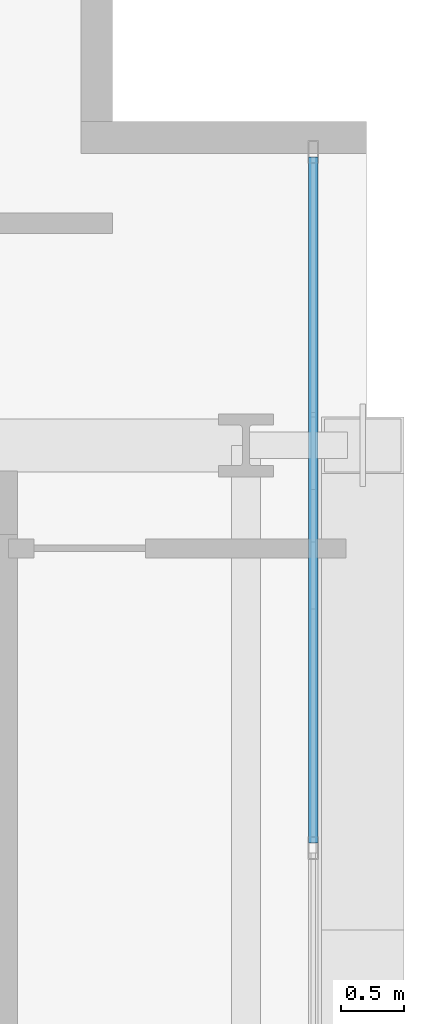
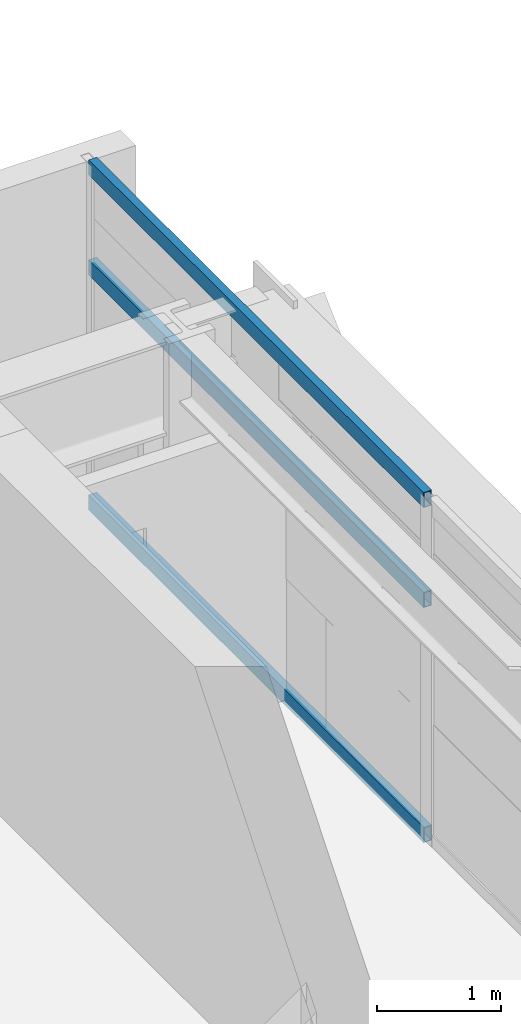
# One storey, part 19 of 38: 3 members, 1 element without a shape of its own.
"""IFC4 building model written with IfcOpenShell, lengths in metres."""

from ifc_helpers import new_model, si_unit, direction, frame, origin, origin_2d, place, context, subcontext, project, spatial, hollow_rectangle, extrude, source, transform, mapped, material, layer, layer_set, material_profile, profile_set, type_object, element, aggregate, save


model = new_model("IFC4")

# Units and contexts
model_context = context("Model", 3, precision=1e-05, world=origin(), true_north=direction((0.0, 1.0)))
body_context = subcontext(model_context, "Body", "Model", "MODEL_VIEW")
ifc_project = project(units=[si_unit("LENGTHUNIT", "METRE"), si_unit("AREAUNIT", "SQUARE_METRE"), si_unit("VOLUMEUNIT", "CUBIC_METRE"), si_unit("PLANEANGLEUNIT", "RADIAN"), si_unit("MASSUNIT", "GRAM", prefix="KILO")], contexts=[model_context])

# Site, building, storey
site_placement = place(None, origin())
site = spatial("IfcSite", under=ifc_project, at=site_placement, CompositionType="ELEMENT")
building_placement = place(site_placement, origin())
building = spatial("IfcBuilding", under=site, at=building_placement, Name="Ocotamira Hotel", CompositionType="ELEMENT")
storey_placement = place(building_placement, frame((0.0, 0.0, 170.39990234375)))
storey = spatial("IfcBuildingStorey", under=building, at=storey_placement, Name="L42", CompositionType="ELEMENT", Elevation=170.39990234375)

# Curtain wall, members
ifc_material_1 = material(Name="Anodised pale-metal aluminium and solar glass", Category="aluminium")
ifc_layer = layer(ifc_material_1, 0.199951171875)
ifc_layer_set = layer_set([ifc_layer], Name="Anodised pale-metal aluminium and solar glass")
curtain_wall_type = type_object("IfcCurtainWallType", Name="CW-SYS4-Z3", PredefinedType="NOTDEFINED", material=ifc_layer_set)
curtain_wall_placement = place(storey_placement, origin())
curtain_wall = element("IfcCurtainWall", 1, at=curtain_wall_placement, inside=storey, type_object=curtain_wall_type, Name="L42 Curtain Wall CW-4 CW-L42-E", PredefinedType="NOTDEFINED")
ifc_material_2 = material(Name="Anodised pale-metal aluminium 6063-T6", Category="aluminium")
ifc_material_profile = material_profile(ifc_material_2, hollow_rectangle(XDim=0.074951171875, YDim=0.14990234375, WallThickness=0.006103515625, at=origin_2d()), Name="HSS150X75X6")
ifc_profile_set = profile_set([ifc_material_profile], Name="Anodised pale-metal aluminium 6063-T6")
member_type = type_object("IfcMemberType", Name="CWT-150X75", PredefinedType="USERDEFINED", material=ifc_profile_set)
shared_shape = source(origin(), body_context, "Body", "SweptSolid", [
    extrude(hollow_rectangle(XDim=0.074951171875, YDim=0.14990234375, WallThickness=0.006103515625, at=origin_2d()), origin(), (0.0, 0.0, 1.0), 5.39990234375),
])
member_1_placement = place(storey_placement, frame((55.580078125, 34.320068359375, 0.03759765625), z_axis=(0.0, 1.0, 0.0), x_axis=(-1.0, 0.0, 0.0)))
member_1 = element("IfcMember", 2, at=member_1_placement, type_object=member_type, Name="CW-4 transom 5.1", ObjectType="TRANSOM", PredefinedType="USERDEFINED", context=body_context, shape_type="MappedRepresentation", body=[
    mapped(shared_shape, transform((0.0, 0.0, 0.0), scale=1.0)),
])
member_2_placement = place(storey_placement, frame((55.580078125, 34.320068359375, 2.35009765625), z_axis=(0.0, 1.0, 0.0), x_axis=(-1.0, 0.0, 0.0)))
member_2 = element("IfcMember", 3, at=member_2_placement, type_object=member_type, Name="CW-4 transom 5.2", ObjectType="TRANSOM", PredefinedType="USERDEFINED", context=body_context, shape_type="MappedRepresentation", body=[
    mapped(shared_shape, transform((0.0, 0.0, 0.0), scale=1.0)),
])
member_3_placement = place(storey_placement, frame((55.580078125, 34.320068359375, 3.33251953125), z_axis=(0.0, 1.0, 0.0), x_axis=(-1.0, 0.0, 0.0)))
member_3 = element("IfcMember", 4, at=member_3_placement, type_object=member_type, Name="CW-4 transom 5.3", ObjectType="TRANSOM", PredefinedType="USERDEFINED", context=body_context, shape_type="MappedRepresentation", body=[
    mapped(shared_shape, transform((0.0, 0.0, 0.0), scale=1.0)),
])
aggregate(curtain_wall, [member_1, member_2, member_3])

save(model, "model.ifc")
